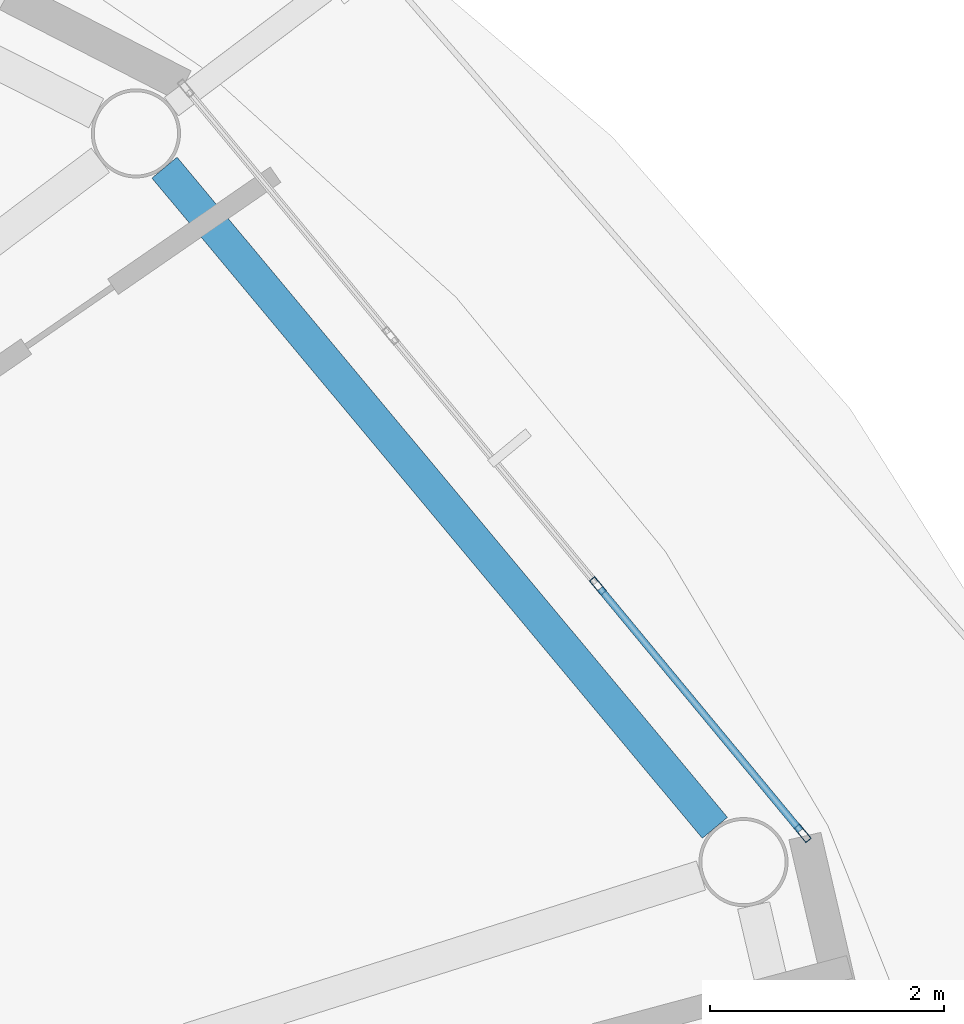
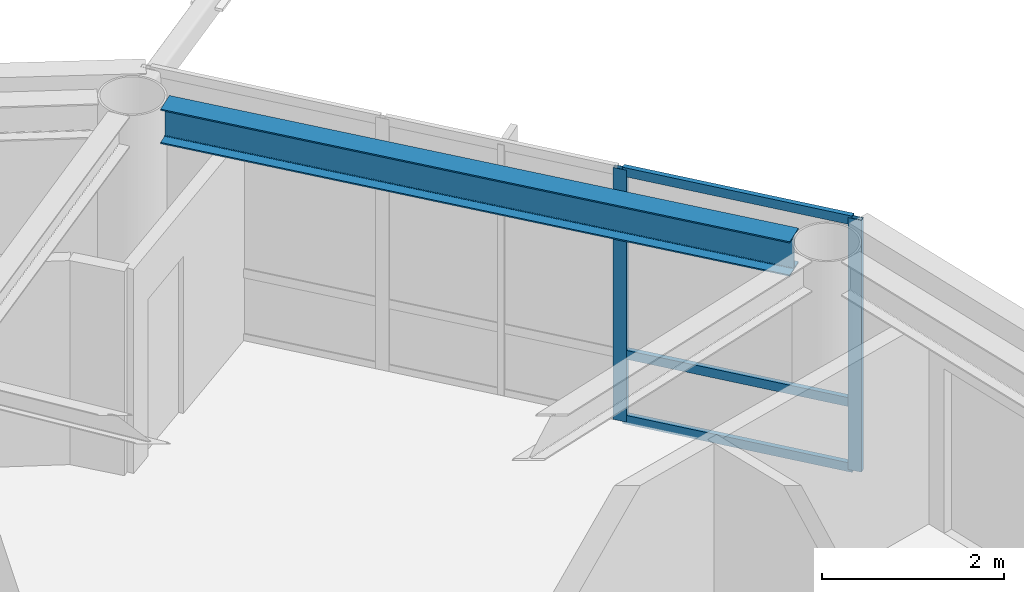
# One storey, part 7 of 23: 5 members, 1 beam, 1 element without a shape of its own.
"""IFC4 building model written with IfcOpenShell, lengths in metres."""

from ifc_helpers import new_model, si_unit, direction, frame, origin, origin_2d, place, context, subcontext, project, spatial, hollow_rectangle, i_section, extrude, material, layer, layer_set, material_profile, profile_set, type_object, element, aggregate, save


model = new_model("IFC4")

# Units and contexts
model_context = context("Model", 3, precision=1e-05, world=origin(), true_north=direction((0.0, 1.0)))
body_context = subcontext(model_context, "Body", "Model", "MODEL_VIEW")
ifc_project = project(units=[si_unit("LENGTHUNIT", "METRE"), si_unit("AREAUNIT", "SQUARE_METRE"), si_unit("VOLUMEUNIT", "CUBIC_METRE"), si_unit("PLANEANGLEUNIT", "RADIAN"), si_unit("MASSUNIT", "GRAM", prefix="KILO")], contexts=[model_context])

# Site, building, storey
site_placement = place(None, origin())
site = spatial("IfcSite", under=ifc_project, at=site_placement, CompositionType="ELEMENT")
building_placement = place(site_placement, origin())
building = spatial("IfcBuilding", under=site, at=building_placement, Name="Sarneth Arch Tower", CompositionType="ELEMENT")
storey_placement = place(building_placement, frame((0.0, 0.0, 269.39990234375)))
storey = spatial("IfcBuildingStorey", under=building, at=storey_placement, Name="L69", CompositionType="ELEMENT", Elevation=269.39990234375)

# Beam
ifc_material_1 = material(Name="Steel S355", Category="steel")
ifc_material_profile_1 = material_profile(ifc_material_1, i_section(OverallWidth=0.280029296875, OverallDepth=0.462890625, WebThickness=0.0107421875, FlangeThickness=0.017333984375, FilletRadius=0.01806640625, at=origin_2d()), Name="W460x113")
ifc_profile_set_1 = profile_set([ifc_material_profile_1], Name="Steel S355")
beam_type = type_object("IfcBeamType", Name="BM-RAD-460A", PredefinedType="BEAM", material=ifc_profile_set_1)
beam_placement = place(storey_placement, frame((70.9248046875, 49.64013671875, 3.138671875), z_axis=(-0.640377192996, 0.768060577487, 0.0), x_axis=(-0.768060577487, -0.640377192996, 0.0)))
element("IfcBeam", 1, at=beam_placement, inside=storey, type_object=beam_type, Name="L69 Perimeter spandrel beam 02", PredefinedType="BEAM", context=body_context, shape_type="SweptSolid", body=[
    extrude(i_section(OverallWidth=0.280029296875, OverallDepth=0.462890625, WebThickness=0.0107421875, FlangeThickness=0.017333984375, FilletRadius=0.01806640625, at=origin_2d()), origin(), (0.0, 0.0, 1.0), 7.34814453125),
])

# Curtain wall, members
ifc_material_2 = material(Name="Anodised aluminium Type AA25 and solar-control low-e laminated IGU", Category="aluminium")
ifc_layer = layer(ifc_material_2, 0.179931640625)
ifc_layer_set = layer_set([ifc_layer], Name="Anodised aluminium Type AA25 and solar-control low-e laminated IGU")
curtain_wall_type = type_object("IfcCurtainWallType", Name="CW-RES-HIGH", PredefinedType="NOTDEFINED", material=ifc_layer_set)
curtain_wall_placement = place(storey_placement, origin())
curtain_wall = element("IfcCurtainWall", 2, at=curtain_wall_placement, inside=storey, type_object=curtain_wall_type, Name="L69 Unitised curtain wall facet 02", PredefinedType="NOTDEFINED")
ifc_material_3 = material(Name="Anodised Aluminium 6063-T6", Category="aluminium")
ifc_material_profile_2 = material_profile(ifc_material_3, hollow_rectangle(XDim=0.06005859375, YDim=0.159912109375, WallThickness=0.00390625, at=origin_2d()), Name="AL-MULL-160x60x4")
ifc_profile_set_2 = profile_set([ifc_material_profile_2], Name="Anodised Aluminium 6063-T6")
member_type_1 = type_object("IfcMemberType", Name="CW-MULLION", PredefinedType="MULLION", material=ifc_profile_set_2)
member_1_placement = place(storey_placement, frame((71.674560546875, 49.592529296875, 0.0), z_axis=(0.0, 0.0, 1.0), x_axis=(-0.770359245933, -0.637610094184, 0.0)))
member_1 = element("IfcMember", 3, at=member_1_placement, type_object=member_type_1, Name="CW-SYS-6 mullion 1", PredefinedType="MULLION", context=body_context, shape_type="SweptSolid", body=[
    extrude(hollow_rectangle(XDim=0.06005859375, YDim=0.159912109375, WallThickness=0.00390625, at=origin_2d()), origin(), (0.0, 0.0, 1.0), 3.3701171875),
])
member_2_placement = place(storey_placement, frame((69.92333984375, 51.70849609375, 0.0), z_axis=(0.0, 0.0, 1.0), x_axis=(-0.770359245933, -0.637610094184, 0.0)))
member_2 = element("IfcMember", 4, at=member_2_placement, type_object=member_type_1, Name="CW-SYS-6 mullion 2", PredefinedType="MULLION", context=body_context, shape_type="SweptSolid", body=[
    extrude(hollow_rectangle(XDim=0.06005859375, YDim=0.159912109375, WallThickness=0.00390625, at=origin_2d()), origin(), (0.0, 0.0, 1.0), 3.3701171875),
])
ifc_material_4 = material(Name="Anodised Aluminium 6063-T6", Category="aluminium")
ifc_material_profile_3 = material_profile(ifc_material_4, hollow_rectangle(XDim=0.06005859375, YDim=0.1201171875, WallThickness=0.00390625, at=origin_2d()), Name="AL-TRAN-120x60x4")
ifc_profile_set_3 = profile_set([ifc_material_profile_3], Name="Anodised Aluminium 6063-T6")
member_type_2 = type_object("IfcMemberType", Name="CW-TRANSOM", PredefinedType="USERDEFINED", material=ifc_profile_set_3)
member_3_placement = place(storey_placement, frame((71.655517578125, 49.61572265625, 0.030029296875), z_axis=(-0.637651400067, 0.770325056059, 0.0), x_axis=(-0.770325056059, -0.637651400067, 0.0)))
member_3 = element("IfcMember", 5, at=member_3_placement, type_object=member_type_2, Name="CW-SYS-6 transom 1.1", ObjectType="TRANSOM", PredefinedType="USERDEFINED", context=body_context, shape_type="SweptSolid", body=[
    extrude(hollow_rectangle(XDim=0.06005859375, YDim=0.1201171875, WallThickness=0.00390625, at=origin_2d()), origin(), (0.0, 0.0, 1.0), 2.6865234375),
])
member_4_placement = place(storey_placement, frame((71.655517578125, 49.61572265625, 0.900146484375), z_axis=(-0.637651400067, 0.770325056059, 0.0), x_axis=(-0.770325056059, -0.637651400067, 0.0)))
member_4 = element("IfcMember", 6, at=member_4_placement, type_object=member_type_2, Name="CW-SYS-6 transom 1.2", ObjectType="TRANSOM", PredefinedType="USERDEFINED", context=body_context, shape_type="SweptSolid", body=[
    extrude(hollow_rectangle(XDim=0.06005859375, YDim=0.1201171875, WallThickness=0.00390625, at=origin_2d()), origin(), (0.0, 0.0, 1.0), 2.6865234375),
])
member_5_placement = place(storey_placement, frame((71.655517578125, 49.61572265625, 3.340087890625), z_axis=(-0.637651400067, 0.770325056059, 0.0), x_axis=(-0.770325056059, -0.637651400067, 0.0)))
member_5 = element("IfcMember", 7, at=member_5_placement, type_object=member_type_2, Name="CW-SYS-6 transom 1.3", ObjectType="TRANSOM", PredefinedType="USERDEFINED", context=body_context, shape_type="SweptSolid", body=[
    extrude(hollow_rectangle(XDim=0.06005859375, YDim=0.1201171875, WallThickness=0.00390625, at=origin_2d()), origin(), (0.0, 0.0, 1.0), 2.6865234375),
])
aggregate(curtain_wall, [member_1, member_2, member_3, member_4, member_5])

save(model, "model.ifc")
